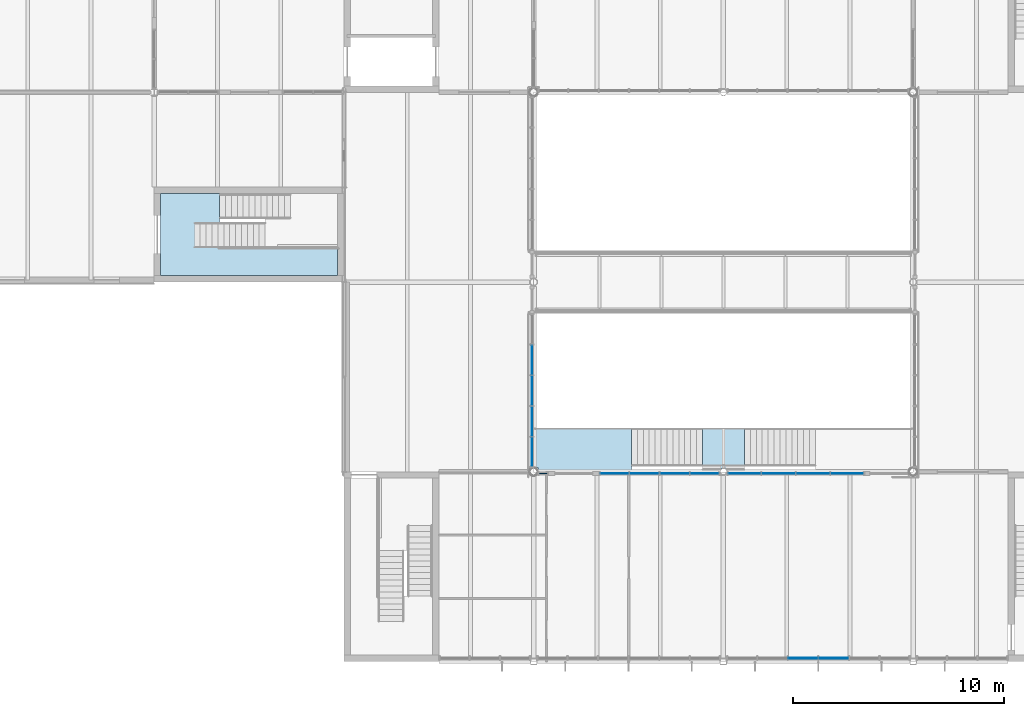
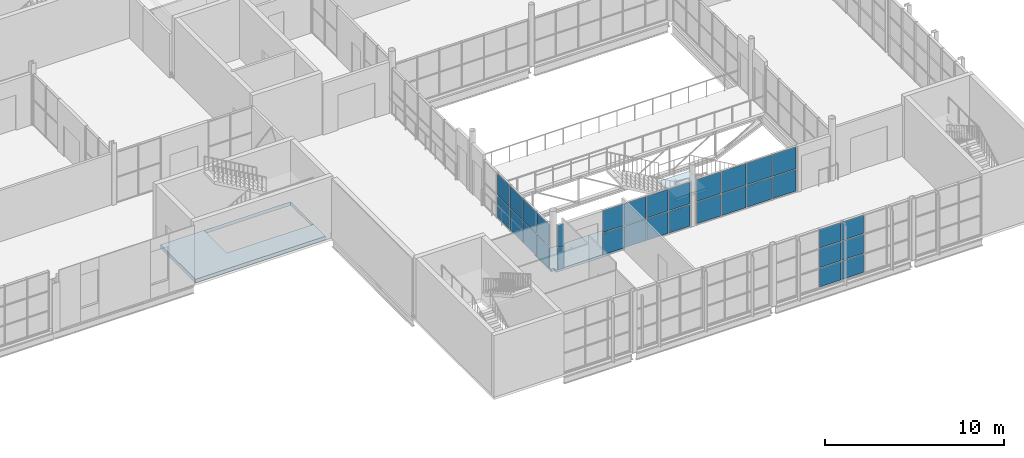
# One storey, part 37 of 61: 32 plates, 3 slabs, 6 elements without a shape of their own.
"""IFC4 building model written with IfcOpenShell, lengths in metres."""

import ifcopenshell
import ifcopenshell.guid

model = None  # the IFC model being written
_history = None  # IfcOwnerHistory: only IFC2X3 demands one
_inside = {}  # id of a spatial element -> (the spatial element, [elements in it])
_under = {}  # id of a project, library or spatial element -> (it, [spatial elements below it])
_declared = {}  # id of a project -> (the project, [libraries it declares])
_typed = {}  # id of a type object -> (the type object, [elements of that type])
_made_of = {}  # id of a material, layer set ... -> (it, [elements and type objects made of it])


def new_model(schema):
    """Start an empty IFC model of exactly this schema.

    Asked for "IFC4X3", IfcOpenShell would pick the latest addendum, in which some entities
    have other attributes; the version numbers below select the first issue.
    IFC2X3 requires an IfcOwnerHistory on every rooted entity: one is made here for all.
    """
    global model, _history
    if schema == "IFC4X3":
        model = ifcopenshell.file(schema_version=(4, 3, 0, 0))
    else:
        model = ifcopenshell.file(schema=schema)
    _inside.clear()
    _under.clear()
    _declared.clear()
    _typed.clear()
    _made_of.clear()
    _history = None
    if model.schema == "IFC2X3":
        org = make("IfcOrganization", Name="unknown")
        user = make(
            "IfcPersonAndOrganization",
            ThePerson=make("IfcPerson", FamilyName="unknown"),
            TheOrganization=org,
        )
        app = make(
            "IfcApplication",
            ApplicationDeveloper=org,
            Version="unknown",
            ApplicationFullName="unknown",
            ApplicationIdentifier="unknown",
        )
        _history = make(
            "IfcOwnerHistory",
            OwningUser=user,
            OwningApplication=app,
            ChangeAction="ADDED",
            CreationDate=0,
        )
    return model


def make(cls, **values):
    """One entity of the class cls with the attributes given. An attribute that is None is left unset."""
    return model.create_entity(
        cls, **{name: value for name, value in values.items() if value is not None}
    )


def rooted(cls, **values):
    """An entity with a GlobalId (a new one), such as an element, a storey or a relation."""
    return make(cls, GlobalId=ifcopenshell.guid.new(), OwnerHistory=_history, **values)


def si_unit(unit_type, name, prefix=None):
    """IfcSIUnit, for example si_unit("LENGTHUNIT", "METRE", prefix="MILLI")."""
    return make("IfcSIUnit", UnitType=unit_type, Prefix=prefix, Name=name)


def assignment(units):
    """IfcUnitAssignment: the units of a project."""
    return None if units is None else make("IfcUnitAssignment", Units=units)


def point(xyz):
    """IfcCartesianPoint."""
    return None if xyz is None else make("IfcCartesianPoint", Coordinates=xyz)


def direction(xyz):
    """IfcDirection."""
    return None if xyz is None else make("IfcDirection", DirectionRatios=xyz)


def frame(location, z_axis=None, x_axis=None):
    """IfcAxis2Placement3D, a coordinate frame: its origin and axes. An axis left out is left unset."""
    return make(
        "IfcAxis2Placement3D",
        Location=point(location),
        Axis=direction(z_axis),
        RefDirection=direction(x_axis),
    )


def frame_2d(location, x_axis=None):
    """IfcAxis2Placement2D, a coordinate frame in the plane: its origin and x axis."""
    return make(
        "IfcAxis2Placement2D", Location=point(location), RefDirection=direction(x_axis)
    )


def origin():
    """The frame at (0, 0, 0) with its axes left unset."""
    return frame((0.0, 0.0, 0.0))


def origin_2d():
    """The frame at (0, 0) in the plane with its x axis left unset."""
    return frame_2d((0.0, 0.0))


def place(relative_to, where):
    """IfcLocalPlacement: puts the frame where relative to a parent placement (None: the world)."""
    return make(
        "IfcLocalPlacement", PlacementRelTo=relative_to, RelativePlacement=where
    )


def context(
    kind, dimensions, precision=None, world=None, true_north=None, identifier=None
):
    """IfcGeometricRepresentationContext, for example the 3D "Model" context."""
    return make(
        "IfcGeometricRepresentationContext",
        ContextIdentifier=identifier,
        ContextType=kind,
        CoordinateSpaceDimension=dimensions,
        Precision=precision,
        WorldCoordinateSystem=world,
        TrueNorth=true_north,
    )


def subcontext(parent, identifier, kind, view, scale=None):
    """IfcGeometricRepresentationSubContext, for example "Body" below "Model"."""
    return make(
        "IfcGeometricRepresentationSubContext",
        ContextIdentifier=identifier,
        ContextType=kind,
        ParentContext=parent,
        TargetScale=scale,
        TargetView=view,
    )


def project(units=None, contexts=None):
    """IfcProject with its units and contexts."""
    return rooted(
        "IfcProject",
        Name="project",
        RepresentationContexts=contexts,
        UnitsInContext=assignment(units),
    )


def spatial(cls, under=None, at=None, **own):
    """A site, building, storey or space (cls), placed at a placement, below another one or the project."""
    s = rooted(cls, ObjectPlacement=at, **own)
    if under is not None:
        _under.setdefault(under.id(), (under, []))[1].append(s)
    return s


def polyline(points):
    """IfcPolyline through the points."""
    return make("IfcPolyline", Points=[point(p) for p in points])


def profile(cls, at=None, kind="AREA", **sizes):
    """A parametric profile (cls). Its sizes go by their IFC names, for example OverallWidth=200.0."""
    return make(cls, ProfileType=kind, Position=at, **sizes)


def rectangle(**sizes):
    """IfcRectangleProfileDef."""
    return profile("IfcRectangleProfileDef", **sizes)


def outline(outer, holes=None, kind="AREA"):
    """IfcArbitraryClosedProfileDef: a profile drawn as a closed curve; with holes, ...WithVoids."""
    if holes is None:
        return make("IfcArbitraryClosedProfileDef", ProfileType=kind, OuterCurve=outer)
    return make(
        "IfcArbitraryProfileDefWithVoids",
        ProfileType=kind,
        OuterCurve=outer,
        InnerCurves=holes,
    )


def extrude(swept, where, along, depth):
    """IfcExtrudedAreaSolid: the profile swept, set in the frame where, extruded along a direction by depth."""
    return make(
        "IfcExtrudedAreaSolid",
        SweptArea=swept,
        Position=where,
        ExtrudedDirection=direction(along),
        Depth=depth,
    )


def shape(context_of_items, identifier, shape_type, items):
    """IfcShapeRepresentation: the items that make up one representation, for example the "Body"."""
    return make(
        "IfcShapeRepresentation",
        ContextOfItems=context_of_items,
        RepresentationIdentifier=identifier,
        RepresentationType=shape_type,
        Items=items,
    )


def material(Name=None, Category=None):
    """IfcMaterial."""
    return make("IfcMaterial", Name=Name, Category=Category)


def layer(
    of_material, thickness, ventilated=None, Name=None, Category=None, Priority=None
):
    """IfcMaterialLayer: one layer of a wall or slab, of a material (None: an air gap)."""
    return make(
        "IfcMaterialLayer",
        Material=of_material,
        LayerThickness=thickness,
        IsVentilated=ventilated,
        Name=Name,
        Category=Category,
        Priority=Priority,
    )


def layer_set(layers, Name=None):
    """IfcMaterialLayerSet."""
    return make("IfcMaterialLayerSet", MaterialLayers=layers, LayerSetName=Name)


def made_of(thing, what):
    """Note that an element or type object is made of a material, layer set ...; save() writes the relation."""
    if what is not None:
        _made_of.setdefault(what.id(), (what, []))[1].append(thing)
    return thing


def type_object(cls, material=None, **own):
    """A type object (cls), such as IfcWallType, which elements share."""
    return made_of(rooted(cls, **own), material)


def element(
    cls,
    number,
    at=None,
    inside=None,
    cuts=None,
    type_object=None,
    material=None,
    context=None,
    identifier="Body",
    shape_type=None,
    held_by="IfcProductDefinitionShape",
    body=None,
    shapes=None,
    **own,
):
    """One element of the class cls, such as IfcWall. Its Tag is "e" and its number.

    at: its placement. inside: the storey or other place that contains it. cuts: it is an
    opening in that element (IfcRelVoidsElement). A single representation is given by context,
    identifier, shape_type and body (its items); several are given by shapes. held_by: the class
    of the entity that holds the representations. save() writes the other relations.
    """
    e = rooted(cls, Tag="e%d" % number, ObjectPlacement=at, **own)
    if body is not None:
        shapes = [shape(context, identifier, shape_type, body)]
    if shapes is not None:
        e.Representation = make(held_by, Representations=shapes)
    if inside is not None:
        _inside.setdefault(inside.id(), (inside, []))[1].append(e)
    if cuts is not None:
        rooted(
            "IfcRelVoidsElement", RelatingBuildingElement=cuts, RelatedOpeningElement=e
        )
    if type_object is not None:
        _typed.setdefault(type_object.id(), (type_object, []))[1].append(e)
    return made_of(e, material)


def aggregate(whole, parts):
    """IfcRelAggregates: a whole, such as a stair, and the parts it consists of."""
    return rooted("IfcRelAggregates", RelatingObject=whole, RelatedObjects=parts)


def save(model, path):
    """Write the relations noted so far, then the file.

    IfcRelAggregates (storeys below a building ...), IfcRelContainedInSpatialStructure (elements
    in a storey), IfcRelDefinesByType, IfcRelAssociatesMaterial and IfcRelDeclares: one each for
    every whole, place, type object, material and project.
    """
    for whole, parts in _under.values():
        aggregate(whole, parts)
    for where, things in _inside.values():
        rooted(
            "IfcRelContainedInSpatialStructure",
            RelatedElements=things,
            RelatingStructure=where,
        )
    for kind, things in _typed.values():
        rooted("IfcRelDefinesByType", RelatedObjects=things, RelatingType=kind)
    for what, things in _made_of.values():
        rooted("IfcRelAssociatesMaterial", RelatedObjects=things, RelatingMaterial=what)
    for by, libraries in _declared.values():
        rooted("IfcRelDeclares", RelatingContext=by, RelatedDefinitions=libraries)
    model.write(path)


model = new_model("IFC4")

# Units and contexts
model_context = context("Model", 3, precision=1e-05, world=origin(), true_north=direction((0.0, 1.0)))
body_context = subcontext(model_context, "Body", "Model", "MODEL_VIEW")
ifc_project = project(units=[si_unit("LENGTHUNIT", "METRE"), si_unit("AREAUNIT", "SQUARE_METRE"), si_unit("VOLUMEUNIT", "CUBIC_METRE"), si_unit("PLANEANGLEUNIT", "RADIAN"), si_unit("MASSUNIT", "GRAM", prefix="KILO")], contexts=[model_context])

# Site, building, storey
site_placement = place(None, origin())
site = spatial("IfcSite", under=ifc_project, at=site_placement, CompositionType="ELEMENT")
building_placement = place(site_placement, origin())
building = spatial("IfcBuilding", under=site, at=building_placement, Name="Halyard Row Museum", CompositionType="ELEMENT")
storey_placement = place(building_placement, frame((0.0, 0.0, 9.199951171875)))
storey = spatial("IfcBuildingStorey", under=building, at=storey_placement, Name="L02", CompositionType="ELEMENT", Elevation=9.199951171875)

# Slab
ifc_material_1 = material(Name="Concrete 40 MPa", Category="concrete")
ifc_layer_1 = layer(ifc_material_1, 0.25)
ifc_layer_set_1 = layer_set([ifc_layer_1], Name="Concrete 40 MPa")
slab_type_1 = type_object("IfcSlabType", Name="Core floor slab 250", PredefinedType="FLOOR", material=ifc_layer_set_1)
slab_1_placement = place(storey_placement, frame((0.0, 0.0, -0.25)))
element("IfcSlab", 1, at=slab_1_placement, inside=storey, type_object=slab_type_1, Name="Core floor K1C L02", PredefinedType="FLOOR", context=body_context, shape_type="SweptSolid", body=[
    extrude(outline(polyline([(71.699951171875, 22.199951171875), (63.300048828125, 22.199951171875), (63.300048828125, 18.300048828125), (71.699951171875, 18.300048828125), (71.699951171875, 22.199951171875)]), holes=[polyline([(71.697021484375, 19.653076171875), (66.10302734375, 19.653076171875), (66.10302734375, 22.197021484375), (71.697021484375, 22.197021484375), (71.697021484375, 19.653076171875)])]), origin(), (0.0, 0.0, 1.0), 0.25),
])

# Curtain wall, plates
ifc_material_2 = material(Name="Double glazed unit, low-emissivity", Category="glass")
ifc_layer_2 = layer(ifc_material_2, 0.219970703125)
ifc_layer_set_2 = layer_set([ifc_layer_2], Name="Double glazed unit, low-emissivity")
curtain_wall_type_1 = type_object("IfcCurtainWallType", Name="Curtain wall unitised 220 deep", PredefinedType="NOTDEFINED", material=ifc_layer_set_2)
curtain_wall_1_placement = place(storey_placement, origin())
curtain_wall_1 = element("IfcCurtainWall", 2, at=curtain_wall_1_placement, inside=storey, type_object=curtain_wall_type_1, Name="Curtain wall CW039", PredefinedType="NOTDEFINED")
ifc_material_3 = material(Name="Double glazed unit, low-emissivity", Category="glass")
ifc_layer_3 = layer(ifc_material_3, 0.035888671875)
ifc_layer_set_3 = layer_set([ifc_layer_3], Name="Double glazed unit, low-emissivity")
plate_type_1 = type_object("IfcPlateType", Name="Curtain wall glazed panel CP3 36", PredefinedType="CURTAIN_PANEL", material=ifc_layer_set_3)
plate_1_placement = place(storey_placement, frame((93.77490234375, 0.159912109375, 0.06005859375), z_axis=(0.0, 0.0, 1.0), x_axis=(1.0, 0.0, 0.0)))
plate_1 = element("IfcPlate", 3, at=plate_1_placement, type_object=plate_type_1, Name="CW039 panel 3.1", PredefinedType="CURTAIN_PANEL", context=body_context, shape_type="SweptSolid", body=[
    extrude(rectangle(XDim=1.389892578125, YDim=0.035888671875, at=origin_2d()), origin(), (0.0, 0.0, 1.0), 1.2548828125),
])
plate_2_placement = place(storey_placement, frame((93.77490234375, 0.159912109375, 1.375), z_axis=(0.0, 0.0, 1.0), x_axis=(1.0, 0.0, 0.0)))
plate_2 = element("IfcPlate", 4, at=plate_2_placement, type_object=plate_type_1, Name="CW039 panel 3.2", PredefinedType="CURTAIN_PANEL", context=body_context, shape_type="SweptSolid", body=[
    extrude(rectangle(XDim=1.389892578125, YDim=0.035888671875, at=origin_2d()), origin(), (0.0, 0.0, 1.0), 1.284912109375),
])
plate_3_placement = place(storey_placement, frame((93.77490234375, 0.159912109375, 2.72021484375), z_axis=(0.0, 0.0, 1.0), x_axis=(1.0, 0.0, 0.0)))
plate_3 = element("IfcPlate", 5, at=plate_3_placement, type_object=plate_type_1, Name="CW039 panel 3.3", PredefinedType="CURTAIN_PANEL", context=body_context, shape_type="SweptSolid", body=[
    extrude(rectangle(XDim=1.389892578125, YDim=0.035888671875, at=origin_2d()), origin(), (0.0, 0.0, 1.0), 1.2548828125),
])
plate_4_placement = place(storey_placement, frame((95.22509765625, 0.159912109375, 0.06005859375), z_axis=(0.0, 0.0, 1.0), x_axis=(1.0, 0.0, 0.0)))
plate_4 = element("IfcPlate", 6, at=plate_4_placement, type_object=plate_type_1, Name="CW039 panel 4.1", PredefinedType="CURTAIN_PANEL", context=body_context, shape_type="SweptSolid", body=[
    extrude(rectangle(XDim=1.389892578125, YDim=0.035888671875, at=origin_2d()), origin(), (0.0, 0.0, 1.0), 1.2548828125),
])
plate_5_placement = place(storey_placement, frame((95.22509765625, 0.159912109375, 1.375), z_axis=(0.0, 0.0, 1.0), x_axis=(1.0, 0.0, 0.0)))
plate_5 = element("IfcPlate", 7, at=plate_5_placement, type_object=plate_type_1, Name="CW039 panel 4.2", PredefinedType="CURTAIN_PANEL", context=body_context, shape_type="SweptSolid", body=[
    extrude(rectangle(XDim=1.389892578125, YDim=0.035888671875, at=origin_2d()), origin(), (0.0, 0.0, 1.0), 1.284912109375),
])
plate_6_placement = place(storey_placement, frame((95.22509765625, 0.159912109375, 2.72021484375), z_axis=(0.0, 0.0, 1.0), x_axis=(1.0, 0.0, 0.0)))
plate_6 = element("IfcPlate", 8, at=plate_6_placement, type_object=plate_type_1, Name="CW039 panel 4.3", PredefinedType="CURTAIN_PANEL", context=body_context, shape_type="SweptSolid", body=[
    extrude(rectangle(XDim=1.389892578125, YDim=0.035888671875, at=origin_2d()), origin(), (0.0, 0.0, 1.0), 1.2548828125),
])
aggregate(curtain_wall_1, [plate_1, plate_2, plate_3, plate_4, plate_5, plate_6])

ifc_material_4 = material(Name="Fire-resisting laminated glazing", Category="glass")
ifc_layer_4 = layer(ifc_material_4, 0.159912109375)
ifc_layer_set_4 = layer_set([ifc_layer_4], Name="Fire-resisting laminated glazing")
curtain_wall_type_2 = type_object("IfcCurtainWallType", Name="Curtain wall atrium screen 160 deep", PredefinedType="NOTDEFINED", material=ifc_layer_set_4)
curtain_wall_2_placement = place(storey_placement, origin())
curtain_wall_2 = element("IfcCurtainWall", 9, at=curtain_wall_2_placement, inside=storey, type_object=curtain_wall_type_2, Name="Curtain wall CW084", PredefinedType="NOTDEFINED")
ifc_material_5 = material(Name="Fire-resisting laminated glazing", Category="glass")
ifc_layer_5 = layer(ifc_material_5, 0.0400390625)
ifc_layer_set_5 = layer_set([ifc_layer_5], Name="Fire-resisting laminated glazing")
plate_type_2 = type_object("IfcPlateType", Name="Curtain wall glazed panel CP5 40", PredefinedType="CURTAIN_PANEL", material=ifc_layer_set_5)
plate_7_placement = place(storey_placement, frame((81.45166015625, 8.919921875, 0.06005859375), z_axis=(0.0, 0.0, 1.0), x_axis=(1.0, 0.0, 0.0)))
plate_7 = element("IfcPlate", 10, at=plate_7_placement, type_object=plate_type_2, Name="CW084 panel 1.1", PredefinedType="CURTAIN_PANEL", context=body_context, shape_type="SweptSolid", body=[
    extrude(rectangle(XDim=0.376708984375, YDim=0.0400390625, at=origin_2d()), origin(), (0.0, 0.0, 1.0), 1.47216796875),
])
plate_8_placement = place(storey_placement, frame((81.45166015625, 8.919921875, 1.59228515625), z_axis=(0.0, 0.0, 1.0), x_axis=(1.0, 0.0, 0.0)))
plate_8 = element("IfcPlate", 11, at=plate_8_placement, type_object=plate_type_2, Name="CW084 panel 1.2", PredefinedType="CURTAIN_PANEL", context=body_context, shape_type="SweptSolid", body=[
    extrude(rectangle(XDim=0.376708984375, YDim=0.0400390625, at=origin_2d()), origin(), (0.0, 0.0, 1.0), 1.47216796875),
])
aggregate(curtain_wall_2, [plate_7, plate_8])

curtain_wall_3_placement = place(storey_placement, origin())
curtain_wall_3 = element("IfcCurtainWall", 12, at=curtain_wall_3_placement, inside=storey, type_object=curtain_wall_type_2, Name="Curtain wall CW085", PredefinedType="NOTDEFINED")
plate_9_placement = place(storey_placement, frame((84.832275390625, 8.919921875, 0.06005859375), z_axis=(0.0, 0.0, 1.0), x_axis=(1.0, 0.0, 0.0)))
plate_9 = element("IfcPlate", 13, at=plate_9_placement, type_object=plate_type_2, Name="CW085 panel 1.1", PredefinedType="CURTAIN_PANEL", context=body_context, shape_type="SweptSolid", body=[
    extrude(rectangle(XDim=1.344482421875, YDim=0.0400390625, at=origin_2d()), origin(), (0.0, 0.0, 1.0), 1.47216796875),
])
plate_10_placement = place(storey_placement, frame((84.832275390625, 8.919921875, 1.59228515625), z_axis=(0.0, 0.0, 1.0), x_axis=(1.0, 0.0, 0.0)))
plate_10 = element("IfcPlate", 14, at=plate_10_placement, type_object=plate_type_2, Name="CW085 panel 1.2", PredefinedType="CURTAIN_PANEL", context=body_context, shape_type="SweptSolid", body=[
    extrude(rectangle(XDim=1.344482421875, YDim=0.0400390625, at=origin_2d()), origin(), (0.0, 0.0, 1.0), 1.47216796875),
])
plate_11_placement = place(storey_placement, frame((86.251708984375, 8.919921875, 0.06005859375), z_axis=(0.0, 0.0, 1.0), x_axis=(1.0, 0.0, 0.0)))
plate_11 = element("IfcPlate", 15, at=plate_11_placement, type_object=plate_type_2, Name="CW085 panel 2.1", PredefinedType="CURTAIN_PANEL", context=body_context, shape_type="SweptSolid", body=[
    extrude(rectangle(XDim=1.37451171875, YDim=0.0400390625, at=origin_2d()), origin(), (0.0, 0.0, 1.0), 1.47216796875),
])
plate_12_placement = place(storey_placement, frame((86.251708984375, 8.919921875, 1.59228515625), z_axis=(0.0, 0.0, 1.0), x_axis=(1.0, 0.0, 0.0)))
plate_12 = element("IfcPlate", 16, at=plate_12_placement, type_object=plate_type_2, Name="CW085 panel 2.2", PredefinedType="CURTAIN_PANEL", context=body_context, shape_type="SweptSolid", body=[
    extrude(rectangle(XDim=1.37451171875, YDim=0.0400390625, at=origin_2d()), origin(), (0.0, 0.0, 1.0), 1.47216796875),
])
plate_13_placement = place(storey_placement, frame((87.686279296875, 8.919921875, 0.06005859375), z_axis=(0.0, 0.0, 1.0), x_axis=(1.0, 0.0, 0.0)))
plate_13 = element("IfcPlate", 17, at=plate_13_placement, type_object=plate_type_2, Name="CW085 panel 3.1", PredefinedType="CURTAIN_PANEL", context=body_context, shape_type="SweptSolid", body=[
    extrude(rectangle(XDim=1.37451171875, YDim=0.0400390625, at=origin_2d()), origin(), (0.0, 0.0, 1.0), 1.47216796875),
])
plate_14_placement = place(storey_placement, frame((87.686279296875, 8.919921875, 1.59228515625), z_axis=(0.0, 0.0, 1.0), x_axis=(1.0, 0.0, 0.0)))
plate_14 = element("IfcPlate", 18, at=plate_14_placement, type_object=plate_type_2, Name="CW085 panel 3.2", PredefinedType="CURTAIN_PANEL", context=body_context, shape_type="SweptSolid", body=[
    extrude(rectangle(XDim=1.37451171875, YDim=0.0400390625, at=origin_2d()), origin(), (0.0, 0.0, 1.0), 1.47216796875),
])
plate_15_placement = place(storey_placement, frame((89.105712890625, 8.919921875, 0.06005859375), z_axis=(0.0, 0.0, 1.0), x_axis=(1.0, 0.0, 0.0)))
plate_15 = element("IfcPlate", 19, at=plate_15_placement, type_object=plate_type_2, Name="CW085 panel 4.1", PredefinedType="CURTAIN_PANEL", context=body_context, shape_type="SweptSolid", body=[
    extrude(rectangle(XDim=1.344482421875, YDim=0.0400390625, at=origin_2d()), origin(), (0.0, 0.0, 1.0), 1.47216796875),
])
plate_16_placement = place(storey_placement, frame((89.105712890625, 8.919921875, 1.59228515625), z_axis=(0.0, 0.0, 1.0), x_axis=(1.0, 0.0, 0.0)))
plate_16 = element("IfcPlate", 20, at=plate_16_placement, type_object=plate_type_2, Name="CW085 panel 4.2", PredefinedType="CURTAIN_PANEL", context=body_context, shape_type="SweptSolid", body=[
    extrude(rectangle(XDim=1.344482421875, YDim=0.0400390625, at=origin_2d()), origin(), (0.0, 0.0, 1.0), 1.47216796875),
])
aggregate(curtain_wall_3, [plate_9, plate_10, plate_11, plate_12, plate_13, plate_14, plate_15, plate_16])

curtain_wall_4_placement = place(storey_placement, origin())
curtain_wall_4 = element("IfcCurtainWall", 21, at=curtain_wall_4_placement, inside=storey, type_object=curtain_wall_type_2, Name="Curtain wall CW086", PredefinedType="NOTDEFINED")
plate_17_placement = place(storey_placement, frame((90.994140625, 8.919921875, 0.06005859375), z_axis=(0.0, 0.0, 1.0), x_axis=(1.0, 0.0, 0.0)))
plate_17 = element("IfcPlate", 22, at=plate_17_placement, type_object=plate_type_2, Name="CW086 panel 1.1", PredefinedType="CURTAIN_PANEL", context=body_context, shape_type="SweptSolid", body=[
    extrude(rectangle(XDim=1.54443359375, YDim=0.0400390625, at=origin_2d()), origin(), (0.0, 0.0, 1.0), 1.47216796875),
])
plate_18_placement = place(storey_placement, frame((90.994140625, 8.919921875, 1.59228515625), z_axis=(0.0, 0.0, 1.0), x_axis=(1.0, 0.0, 0.0)))
plate_18 = element("IfcPlate", 23, at=plate_18_placement, type_object=plate_type_2, Name="CW086 panel 1.2", PredefinedType="CURTAIN_PANEL", context=body_context, shape_type="SweptSolid", body=[
    extrude(rectangle(XDim=1.54443359375, YDim=0.0400390625, at=origin_2d()), origin(), (0.0, 0.0, 1.0), 1.47216796875),
])
plate_19_placement = place(storey_placement, frame((92.61376953125, 8.919921875, 0.06005859375), z_axis=(0.0, 0.0, 1.0), x_axis=(1.0, 0.0, 0.0)))
plate_19 = element("IfcPlate", 24, at=plate_19_placement, type_object=plate_type_2, Name="CW086 panel 2.1", PredefinedType="CURTAIN_PANEL", context=body_context, shape_type="SweptSolid", body=[
    extrude(rectangle(XDim=1.574462890625, YDim=0.0400390625, at=origin_2d()), origin(), (0.0, 0.0, 1.0), 1.47216796875),
])
plate_20_placement = place(storey_placement, frame((92.61376953125, 8.919921875, 1.59228515625), z_axis=(0.0, 0.0, 1.0), x_axis=(1.0, 0.0, 0.0)))
plate_20 = element("IfcPlate", 25, at=plate_20_placement, type_object=plate_type_2, Name="CW086 panel 2.2", PredefinedType="CURTAIN_PANEL", context=body_context, shape_type="SweptSolid", body=[
    extrude(rectangle(XDim=1.574462890625, YDim=0.0400390625, at=origin_2d()), origin(), (0.0, 0.0, 1.0), 1.47216796875),
])
plate_21_placement = place(storey_placement, frame((94.248291015625, 8.919921875, 0.06005859375), z_axis=(0.0, 0.0, 1.0), x_axis=(1.0, 0.0, 0.0)))
plate_21 = element("IfcPlate", 26, at=plate_21_placement, type_object=plate_type_2, Name="CW086 panel 3.1", PredefinedType="CURTAIN_PANEL", context=body_context, shape_type="SweptSolid", body=[
    extrude(rectangle(XDim=1.574462890625, YDim=0.0400390625, at=origin_2d()), origin(), (0.0, 0.0, 1.0), 1.47216796875),
])
plate_22_placement = place(storey_placement, frame((94.248291015625, 8.919921875, 1.59228515625), z_axis=(0.0, 0.0, 1.0), x_axis=(1.0, 0.0, 0.0)))
plate_22 = element("IfcPlate", 27, at=plate_22_placement, type_object=plate_type_2, Name="CW086 panel 3.2", PredefinedType="CURTAIN_PANEL", context=body_context, shape_type="SweptSolid", body=[
    extrude(rectangle(XDim=1.574462890625, YDim=0.0400390625, at=origin_2d()), origin(), (0.0, 0.0, 1.0), 1.47216796875),
])
plate_23_placement = place(storey_placement, frame((95.86767578125, 8.919921875, 0.06005859375), z_axis=(0.0, 0.0, 1.0), x_axis=(1.0, 0.0, 0.0)))
plate_23 = element("IfcPlate", 28, at=plate_23_placement, type_object=plate_type_2, Name="CW086 panel 4.1", PredefinedType="CURTAIN_PANEL", context=body_context, shape_type="SweptSolid", body=[
    extrude(rectangle(XDim=1.54443359375, YDim=0.0400390625, at=origin_2d()), origin(), (0.0, 0.0, 1.0), 1.47216796875),
])
plate_24_placement = place(storey_placement, frame((95.86767578125, 8.919921875, 1.59228515625), z_axis=(0.0, 0.0, 1.0), x_axis=(1.0, 0.0, 0.0)))
plate_24 = element("IfcPlate", 29, at=plate_24_placement, type_object=plate_type_2, Name="CW086 panel 4.2", PredefinedType="CURTAIN_PANEL", context=body_context, shape_type="SweptSolid", body=[
    extrude(rectangle(XDim=1.54443359375, YDim=0.0400390625, at=origin_2d()), origin(), (0.0, 0.0, 1.0), 1.47216796875),
])
aggregate(curtain_wall_4, [plate_17, plate_18, plate_19, plate_20, plate_21, plate_22, plate_23, plate_24])

curtain_wall_5_placement = place(storey_placement, origin())
curtain_wall_5 = element("IfcCurtainWall", 30, at=curtain_wall_5_placement, inside=storey, type_object=curtain_wall_type_2, Name="Curtain wall CW092", PredefinedType="NOTDEFINED")
plate_25_placement = place(storey_placement, frame((80.919921875, 14.31103515625, 0.06005859375), z_axis=(0.0, 0.0, 1.0), x_axis=(0.0, -1.0, 0.0)))
plate_25 = element("IfcPlate", 31, at=plate_25_placement, type_object=plate_type_2, Name="CW092 panel 2.1", PredefinedType="CURTAIN_PANEL", context=body_context, shape_type="SweptSolid", body=[
    extrude(rectangle(XDim=1.3994140625, YDim=0.0400390625, at=origin_2d()), origin(), (0.0, 0.0, 1.0), 1.47216796875),
])
plate_26_placement = place(storey_placement, frame((80.919921875, 14.31103515625, 1.59228515625), z_axis=(0.0, 0.0, 1.0), x_axis=(0.0, -1.0, 0.0)))
plate_26 = element("IfcPlate", 32, at=plate_26_placement, type_object=plate_type_2, Name="CW092 panel 2.2", PredefinedType="CURTAIN_PANEL", context=body_context, shape_type="SweptSolid", body=[
    extrude(rectangle(XDim=1.3994140625, YDim=0.0400390625, at=origin_2d()), origin(), (0.0, 0.0, 1.0), 1.47216796875),
])
plate_27_placement = place(storey_placement, frame((80.919921875, 12.8515625, 0.06005859375), z_axis=(0.0, 0.0, 1.0), x_axis=(0.0, -1.0, 0.0)))
plate_27 = element("IfcPlate", 33, at=plate_27_placement, type_object=plate_type_2, Name="CW092 panel 3.1", PredefinedType="CURTAIN_PANEL", context=body_context, shape_type="SweptSolid", body=[
    extrude(rectangle(XDim=1.3994140625, YDim=0.0400390625, at=origin_2d()), origin(), (0.0, 0.0, 1.0), 1.47216796875),
])
plate_28_placement = place(storey_placement, frame((80.919921875, 12.8515625, 1.59228515625), z_axis=(0.0, 0.0, 1.0), x_axis=(0.0, -1.0, 0.0)))
plate_28 = element("IfcPlate", 34, at=plate_28_placement, type_object=plate_type_2, Name="CW092 panel 3.2", PredefinedType="CURTAIN_PANEL", context=body_context, shape_type="SweptSolid", body=[
    extrude(rectangle(XDim=1.3994140625, YDim=0.0400390625, at=origin_2d()), origin(), (0.0, 0.0, 1.0), 1.47216796875),
])
plate_29_placement = place(storey_placement, frame((80.919921875, 11.392333984375, 0.06005859375), z_axis=(0.0, 0.0, 1.0), x_axis=(0.0, -1.0, 0.0)))
plate_29 = element("IfcPlate", 35, at=plate_29_placement, type_object=plate_type_2, Name="CW092 panel 4.1", PredefinedType="CURTAIN_PANEL", context=body_context, shape_type="SweptSolid", body=[
    extrude(rectangle(XDim=1.3994140625, YDim=0.0400390625, at=origin_2d()), origin(), (0.0, 0.0, 1.0), 1.47216796875),
])
plate_30_placement = place(storey_placement, frame((80.919921875, 11.392333984375, 1.59228515625), z_axis=(0.0, 0.0, 1.0), x_axis=(0.0, -1.0, 0.0)))
plate_30 = element("IfcPlate", 36, at=plate_30_placement, type_object=plate_type_2, Name="CW092 panel 4.2", PredefinedType="CURTAIN_PANEL", context=body_context, shape_type="SweptSolid", body=[
    extrude(rectangle(XDim=1.3994140625, YDim=0.0400390625, at=origin_2d()), origin(), (0.0, 0.0, 1.0), 1.47216796875),
])
plate_31_placement = place(storey_placement, frame((80.919921875, 9.947998046875, 0.06005859375), z_axis=(0.0, 0.0, 1.0), x_axis=(0.0, -1.0, 0.0)))
plate_31 = element("IfcPlate", 37, at=plate_31_placement, type_object=plate_type_2, Name="CW092 panel 5.1", PredefinedType="CURTAIN_PANEL", context=body_context, shape_type="SweptSolid", body=[
    extrude(rectangle(XDim=1.369384765625, YDim=0.0400390625, at=origin_2d()), origin(), (0.0, 0.0, 1.0), 1.47216796875),
])
plate_32_placement = place(storey_placement, frame((80.919921875, 9.947998046875, 1.59228515625), z_axis=(0.0, 0.0, 1.0), x_axis=(0.0, -1.0, 0.0)))
plate_32 = element("IfcPlate", 38, at=plate_32_placement, type_object=plate_type_2, Name="CW092 panel 5.2", PredefinedType="CURTAIN_PANEL", context=body_context, shape_type="SweptSolid", body=[
    extrude(rectangle(XDim=1.369384765625, YDim=0.0400390625, at=origin_2d()), origin(), (0.0, 0.0, 1.0), 1.47216796875),
])
aggregate(curtain_wall_5, [plate_25, plate_26, plate_27, plate_28, plate_29, plate_30, plate_31, plate_32])

# Stair, slab
ifc_material_6 = material(Name="Steel Grade 350", Category="steel")
stair_type = type_object("IfcStairType", Name="Feature stair two flights 1800", PredefinedType="HALF_TURN_STAIR", material=ifc_material_6)
stair_placement = place(storey_placement, origin())
stair = element("IfcStair", 39, at=stair_placement, inside=storey, type_object=stair_type, Name="Feature stair L02", PredefinedType="HALF_TURN_STAIR")
ifc_material_7 = material(Name="Concrete 40 MPa", Category="concrete")
ifc_layer_6 = layer(ifc_material_7, 0.199951171875)
ifc_layer_set_6 = layer_set([ifc_layer_6], Name="Concrete 40 MPa")
slab_type_2 = type_object("IfcSlabType", Name="Exit stair landing 200", PredefinedType="LANDING", material=ifc_layer_set_6)
slab_2_placement = place(storey_placement, frame((0.0, 0.0, 1.900146484375)))
slab_2 = element("IfcSlab", 40, at=slab_2_placement, type_object=slab_type_2, Name="STF-L02 landing 1", PredefinedType="LANDING", context=body_context, shape_type="SweptSolid", body=[
    extrude(outline(polyline([(89.0, 9.1201171875), (89.838134765625, 9.1201171875), (89.838134765625, 9.161865234375), (90.161865234375, 9.161865234375), (90.161865234375, 9.1201171875), (91.0, 9.1201171875), (91.0, 11.050048828125), (89.0, 11.050048828125), (89.0, 9.1201171875)])), origin(), (0.0, 0.0, 1.0), 0.199951171875),
])
aggregate(stair, [slab_2])

# Slab
ifc_material_8 = material(Name="Concrete 40 MPa", Category="concrete")
ifc_layer_7 = layer(ifc_material_8, 0.1650390625)
ifc_layer_set_7 = layer_set([ifc_layer_7], Name="Concrete 40 MPa")
slab_type_3 = type_object("IfcSlabType", Name="Stair apron slab", PredefinedType="FLOOR", material=ifc_layer_set_7)
slab_3_placement = place(storey_placement, frame((0.0, 0.0, -0.1650390625)))
element("IfcSlab", 41, at=slab_3_placement, inside=storey, type_object=slab_type_3, Name="Stair apron L02 1", PredefinedType="FLOOR", context=body_context, shape_type="SweptSolid", body=[
    extrude(outline(polyline([(81.0, 11.050048828125), (85.64306640625, 11.050048828125), (85.64306640625, 9.0), (81.203125, 9.0), (81.203125, 9.203125), (81.0, 9.203125), (81.0, 11.050048828125)])), origin(), (0.0, 0.0, 1.0), 0.1650390625),
])

save(model, "model.ifc")
